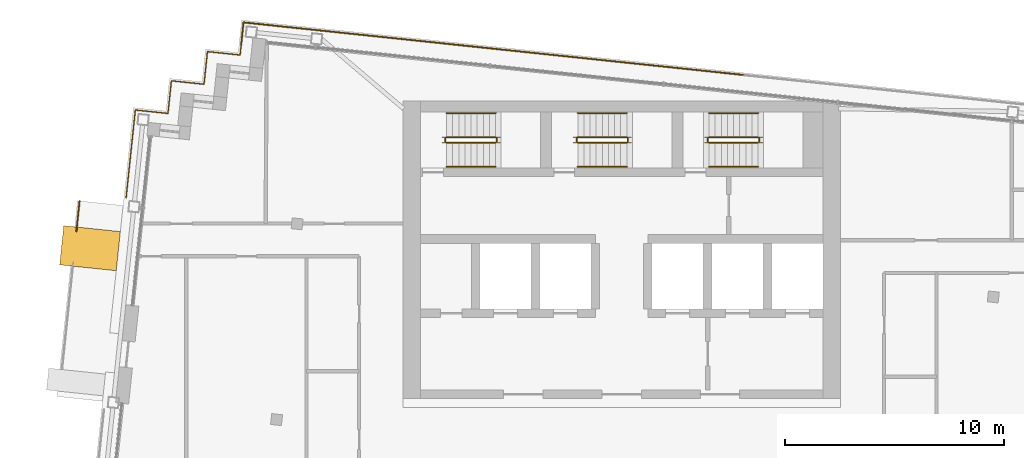
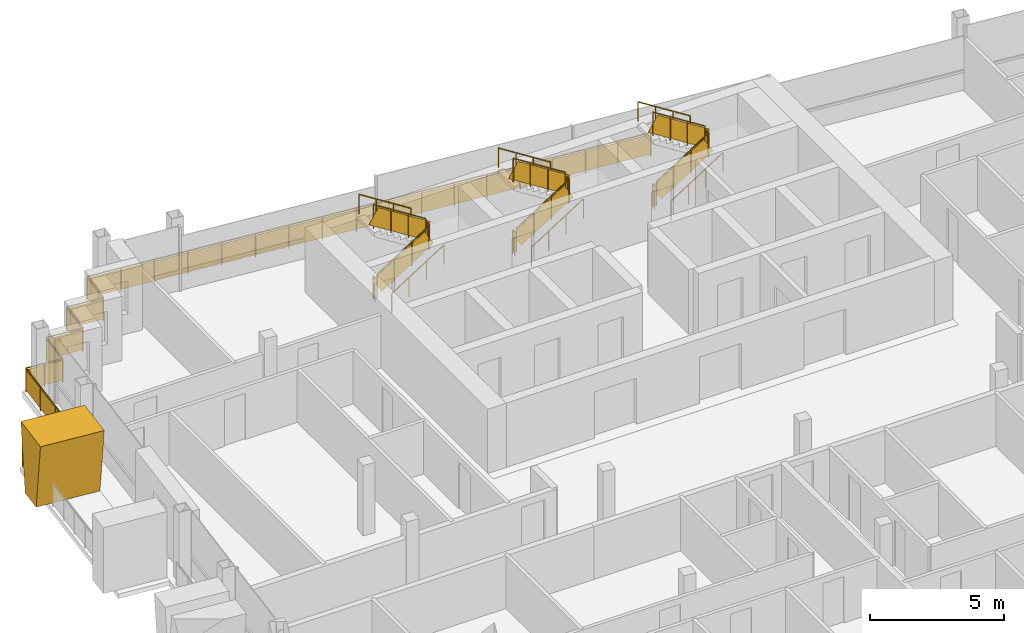
# One storey, part 16 of 17: 22 railings, 1 shading device.
"""IFC4 building model written with IfcOpenShell, lengths in metres."""

from ifc_helpers import new_model, si_unit, direction, frame, origin, origin_2d, place, context, subcontext, project, spatial, polyline, rectangle, circle, outline, extrude, material, layer, layer_set, type_object, element, save


model = new_model("IFC4")

# Units and contexts
model_context = context("Model", 3, precision=1e-05, world=origin(), true_north=direction((0.0, 1.0)))
body_context = subcontext(model_context, "Body", "Model", "MODEL_VIEW")
ifc_project = project(units=[si_unit("LENGTHUNIT", "METRE"), si_unit("AREAUNIT", "SQUARE_METRE"), si_unit("VOLUMEUNIT", "CUBIC_METRE"), si_unit("PLANEANGLEUNIT", "RADIAN"), si_unit("MASSUNIT", "GRAM", prefix="KILO")], contexts=[model_context])

# Site, building, storey
site_placement = place(None, origin())
site = spatial("IfcSite", under=ifc_project, at=site_placement, CompositionType="ELEMENT")
building_placement = place(site_placement, origin())
building = spatial("IfcBuilding", under=site, at=building_placement, Name="Vidyagriha Tower", CompositionType="ELEMENT")
storey_placement = place(building_placement, frame((0.0, 0.0, 265.89990234375)))
storey = spatial("IfcBuildingStorey", under=building, at=storey_placement, Name="L69", CompositionType="ELEMENT", Elevation=265.89990234375)

# Railing
ifc_material_1 = material(Name="Steel ASTM A500 Grade C black painted", Category="steel")
railing_type_1 = type_object("IfcRailingType", Name="Balcony guard 1100", PredefinedType="BALUSTRADE", material=ifc_material_1)
railing_1_placement = place(storey_placement, frame((-24.7763671875, 15.435302734375, 0.0)))
element("IfcRailing", 1, at=railing_1_placement, inside=storey, type_object=railing_type_1, Name="Balcony guard L69 R14.1-1", PredefinedType="BALUSTRADE", context=body_context, shape_type="SweptSolid", body=[
    extrude(circle(Radius=0.02490234375, at=origin_2d()), frame((0.0, 0.0, 1.0751953125), z_axis=(-0.104521012602, -0.994522678437, 0.0), x_axis=(0.994522678437, -0.104521012602, 0.0)), (0.0, 0.0, 1.0), 1.396728515625),
    extrude(circle(Radius=0.02001953125, at=origin_2d()), origin(), (0.0, 0.0, 1.0), 1.050048828125),
    extrude(circle(Radius=0.02001953125, at=origin_2d()), frame((-0.072998046875, -0.694580078125, 0.0)), (0.0, 0.0, 1.0), 1.050048828125),
    extrude(circle(Radius=0.02001953125, at=origin_2d()), frame((-0.14599609375, -1.38916015625, 0.0)), (0.0, 0.0, 1.0), 1.050048828125),
    extrude(rectangle(XDim=0.010009765625, YDim=0.900146484375, at=origin_2d()), frame((0.0, 0.0, 0.550048828125), z_axis=(-0.104521012602, -0.994522678437, 0.0), x_axis=(0.994522678437, -0.104521012602, 0.0)), (0.0, 0.0, 1.0), 1.396728515625),
])

# Shading device
ifc_material_2 = material(Name="Precast concrete C40/50 with buff brick facing", Category="concrete")
ifc_layer = layer(ifc_material_2, 1.0)
ifc_layer_set = layer_set([ifc_layer], Name="Precast concrete C40/50 with buff brick facing")
shading_device_type = type_object("IfcShadingDeviceType", Name="Brick-faced blade fin forking 8 degrees", PredefinedType="USERDEFINED", material=ifc_layer_set)
shading_device_placement = place(storey_placement, frame((-24.205810546875, 14.168701171875, 0.0), z_axis=(0.0, 0.0, 1.0), x_axis=(-0.104430625086, -0.99453217371, 0.0)))
element("IfcShadingDevice", 2, at=shading_device_placement, inside=storey, type_object=shading_device_type, Name="Forked blade fin L69 R14.330a", ObjectType="BLADE FIN", PredefinedType="USERDEFINED", context=body_context, shape_type="SweptSolid", body=[
    extrude(outline(polyline([(0.39990234375, 0.0), (1.39990234375, 0.0), (1.800048828125, 3.0), (0.0, 3.0), (0.39990234375, 0.0)])), frame((0.0, 1.300048828125, 0.0), z_axis=(0.0, -1.0, 0.0), x_axis=(1.0, 0.0, 0.0)), (0.0, 0.0, 1.0), 2.60009765625),
])

# Railings
ifc_material_3 = material(Name="Steel ASTM A500 Grade C black painted", Category="steel")
railing_type_2 = type_object("IfcRailingType", Name="Gallery guard 1100", PredefinedType="GUARDRAIL", material=ifc_material_3)
railing_2_placement = place(storey_placement, frame((-22.650390625, 15.57373046875, 0.0)))
element("IfcRailing", 3, at=railing_2_placement, inside=storey, type_object=railing_type_2, Name="Gallery guard L69 4", PredefinedType="GUARDRAIL", context=body_context, shape_type="SweptSolid", body=[
    extrude(circle(Radius=0.02490234375, at=origin_2d()), frame((0.0, 0.0, 1.0751953125), z_axis=(0.104546370699, 0.994520013058, 0.0), x_axis=(-0.994520013058, 0.104546370699, 0.0)), (0.0, 0.0, 1.0), 4.0400390625),
    extrude(circle(Radius=0.02490234375, at=origin_2d()), frame((0.42236328125, 4.017822265625, 1.0751953125), z_axis=(0.994526834051, -0.104481464157, 0.0), x_axis=(0.104481464157, 0.994526834051, 0.0)), (0.0, 0.0, 1.0), 1.500244140625),
    extrude(circle(Radius=0.02490234375, at=origin_2d()), frame((1.914306640625, 3.861083984375, 1.0751953125), z_axis=(0.104498377516, 0.994525057048, 0.0), x_axis=(-0.994525057048, 0.104498377516, 0.0)), (0.0, 0.0, 1.0), 1.5),
    extrude(circle(Radius=0.02490234375, at=origin_2d()), frame((2.071044921875, 5.352783203125, 1.0751953125), z_axis=(0.994525057048, -0.104498377516, 0.0), x_axis=(0.104498377516, 0.994525057048, 0.0)), (0.0, 0.0, 1.0), 1.5),
    extrude(circle(Radius=0.02490234375, at=origin_2d()), frame((3.562744140625, 5.196044921875, 1.0751953125), z_axis=(0.104498377516, 0.994525057048, 0.0), x_axis=(-0.994525057048, 0.104498377516, 0.0)), (0.0, 0.0, 1.0), 1.5),
    extrude(circle(Radius=0.02490234375, at=origin_2d()), frame((3.719482421875, 6.687744140625, 1.0751953125), z_axis=(0.994525057048, -0.104498377516, 0.0), x_axis=(0.104498377516, 0.994525057048, 0.0)), (0.0, 0.0, 1.0), 1.5),
    extrude(circle(Radius=0.02490234375, at=origin_2d()), frame((5.211181640625, 6.531005859375, 1.0751953125), z_axis=(0.10449150849, 0.994525778778, 0.0), x_axis=(-0.994525778778, 0.10449150849, 0.0)), (0.0, 0.0, 1.0), 0.460205078125),
    extrude(circle(Radius=0.02001953125, at=origin_2d()), origin(), (0.0, 0.0, 1.0), 1.050048828125),
    extrude(circle(Radius=0.02001953125, at=origin_2d()), frame((0.140869140625, 1.33935546875, 0.0)), (0.0, 0.0, 1.0), 1.050048828125),
    extrude(circle(Radius=0.02001953125, at=origin_2d()), frame((0.281494140625, 2.678466796875, 0.0)), (0.0, 0.0, 1.0), 1.050048828125),
    extrude(circle(Radius=0.02001953125, at=origin_2d()), frame((0.42236328125, 4.017822265625, 0.0)), (0.0, 0.0, 1.0), 1.050048828125),
    extrude(circle(Radius=0.02001953125, at=origin_2d()), frame((1.16845703125, 3.939453125, 0.0)), (0.0, 0.0, 1.0), 1.050048828125),
    extrude(circle(Radius=0.02001953125, at=origin_2d()), frame((1.914306640625, 3.861083984375, 0.0)), (0.0, 0.0, 1.0), 1.050048828125),
    extrude(circle(Radius=0.02001953125, at=origin_2d()), frame((2.071044921875, 5.352783203125, 0.0)), (0.0, 0.0, 1.0), 1.050048828125),
    extrude(circle(Radius=0.02001953125, at=origin_2d()), frame((3.562744140625, 5.196044921875, 0.0)), (0.0, 0.0, 1.0), 1.050048828125),
    extrude(circle(Radius=0.02001953125, at=origin_2d()), frame((3.719482421875, 6.687744140625, 0.0)), (0.0, 0.0, 1.0), 1.050048828125),
    extrude(circle(Radius=0.02001953125, at=origin_2d()), frame((5.211181640625, 6.531005859375, 0.0)), (0.0, 0.0, 1.0), 1.050048828125),
    extrude(circle(Radius=0.02001953125, at=origin_2d()), frame((5.25927734375, 6.98876953125, 0.0)), (0.0, 0.0, 1.0), 1.050048828125),
    extrude(rectangle(XDim=0.010009765625, YDim=0.900146484375, at=origin_2d()), frame((0.0, 0.0, 0.550048828125), z_axis=(0.104546370699, 0.994520013058, 0.0), x_axis=(-0.994520013058, 0.104546370699, 0.0)), (0.0, 0.0, 1.0), 4.0400390625),
    extrude(rectangle(XDim=0.010009765625, YDim=0.900146484375, at=origin_2d()), frame((0.42236328125, 4.017822265625, 0.550048828125), z_axis=(0.994526834051, -0.104481464157, 0.0), x_axis=(0.104481464157, 0.994526834051, 0.0)), (0.0, 0.0, 1.0), 1.500244140625),
    extrude(rectangle(XDim=0.010009765625, YDim=0.900146484375, at=origin_2d()), frame((1.914306640625, 3.861083984375, 0.550048828125), z_axis=(0.104498377516, 0.994525057048, 0.0), x_axis=(-0.994525057048, 0.104498377516, 0.0)), (0.0, 0.0, 1.0), 1.5),
    extrude(rectangle(XDim=0.010009765625, YDim=0.900146484375, at=origin_2d()), frame((2.071044921875, 5.352783203125, 0.550048828125), z_axis=(0.994525057048, -0.104498377516, 0.0), x_axis=(0.104498377516, 0.994525057048, 0.0)), (0.0, 0.0, 1.0), 1.5),
    extrude(rectangle(XDim=0.010009765625, YDim=0.900146484375, at=origin_2d()), frame((3.562744140625, 5.196044921875, 0.550048828125), z_axis=(0.104498377516, 0.994525057048, 0.0), x_axis=(-0.994525057048, 0.104498377516, 0.0)), (0.0, 0.0, 1.0), 1.5),
    extrude(rectangle(XDim=0.010009765625, YDim=0.900146484375, at=origin_2d()), frame((3.719482421875, 6.687744140625, 0.550048828125), z_axis=(0.994525057048, -0.104498377516, 0.0), x_axis=(0.104498377516, 0.994525057048, 0.0)), (0.0, 0.0, 1.0), 1.5),
    extrude(rectangle(XDim=0.010009765625, YDim=0.900146484375, at=origin_2d()), frame((5.211181640625, 6.531005859375, 0.550048828125), z_axis=(0.10449150849, 0.994525778778, 0.0), x_axis=(-0.994525778778, 0.10449150849, 0.0)), (0.0, 0.0, 1.0), 0.460205078125),
])
railing_3_placement = place(storey_placement, frame((-17.39111328125, 22.5625, 0.0)))
element("IfcRailing", 4, at=railing_3_placement, inside=storey, type_object=railing_type_2, Name="Gallery guard L69 5", PredefinedType="GUARDRAIL", context=body_context, shape_type="SweptSolid", body=[
    extrude(circle(Radius=0.02490234375, at=origin_2d()), frame((0.0, 0.0, 1.0751953125), z_axis=(0.104733680268, 0.994500304785, 0.0), x_axis=(-0.994500304785, 0.104733680268, 0.0)), (0.0, 0.0, 1.0), 1.03955078125),
    extrude(circle(Radius=0.02490234375, at=origin_2d()), frame((0.10888671875, 1.033935546875, 1.0751953125), z_axis=(0.994520943118, -0.104537522925, 0.0), x_axis=(0.104537522925, 0.994520943118, 0.0)), (0.0, 0.0, 1.0), 10.960205078125),
    extrude(circle(Radius=0.02001953125, at=origin_2d()), origin(), (0.0, 0.0, 1.0), 1.050048828125),
    extrude(circle(Radius=0.02001953125, at=origin_2d()), frame((0.10888671875, 1.033935546875, 0.0)), (0.0, 0.0, 1.0), 1.050048828125),
    extrude(circle(Radius=0.02001953125, at=origin_2d()), frame((1.471435546875, 0.890625, 0.0)), (0.0, 0.0, 1.0), 1.050048828125),
    extrude(circle(Radius=0.02001953125, at=origin_2d()), frame((2.833984375, 0.74755859375, 0.0)), (0.0, 0.0, 1.0), 1.050048828125),
    extrude(circle(Radius=0.02001953125, at=origin_2d()), frame((4.196533203125, 0.604248046875, 0.0)), (0.0, 0.0, 1.0), 1.050048828125),
    extrude(circle(Radius=0.02001953125, at=origin_2d()), frame((5.55908203125, 0.4609375, 0.0)), (0.0, 0.0, 1.0), 1.050048828125),
    extrude(circle(Radius=0.02001953125, at=origin_2d()), frame((6.92138671875, 0.31787109375, 0.0)), (0.0, 0.0, 1.0), 1.050048828125),
    extrude(circle(Radius=0.02001953125, at=origin_2d()), frame((8.283935546875, 0.174560546875, 0.0)), (0.0, 0.0, 1.0), 1.050048828125),
    extrude(circle(Radius=0.02001953125, at=origin_2d()), frame((9.646484375, 0.031494140625, 0.0)), (0.0, 0.0, 1.0), 1.050048828125),
    extrude(circle(Radius=0.02001953125, at=origin_2d()), frame((11.009033203125, -0.11181640625, 0.0)), (0.0, 0.0, 1.0), 1.050048828125),
    extrude(rectangle(XDim=0.010009765625, YDim=0.900146484375, at=origin_2d()), frame((0.0, 0.0, 0.550048828125), z_axis=(0.104733680268, 0.994500304785, 0.0), x_axis=(-0.994500304785, 0.104733680268, 0.0)), (0.0, 0.0, 1.0), 1.03955078125),
    extrude(rectangle(XDim=0.010009765625, YDim=0.900146484375, at=origin_2d()), frame((0.10888671875, 1.033935546875, 0.550048828125), z_axis=(0.994520943118, -0.104537522925, 0.0), x_axis=(0.104537522925, 0.994520943118, 0.0)), (0.0, 0.0, 1.0), 10.960205078125),
])
railing_4_placement = place(storey_placement, frame((-6.382080078125, 22.45068359375, 0.0)))
element("IfcRailing", 5, at=railing_4_placement, inside=storey, type_object=railing_type_2, Name="Gallery guard L69 6", PredefinedType="GUARDRAIL", context=body_context, shape_type="SweptSolid", body=[
    extrude(circle(Radius=0.02490234375, at=origin_2d()), frame((0.0, 0.0, 1.0751953125), z_axis=(0.994523609071, -0.104512157188, 0.0), x_axis=(0.104512157188, 0.994523609071, 0.0)), (0.0, 0.0, 1.0), 12.0),
    extrude(circle(Radius=0.02001953125, at=origin_2d()), origin(), (0.0, 0.0, 1.0), 1.050048828125),
    extrude(circle(Radius=0.02001953125, at=origin_2d()), frame((1.325927734375, -0.139404296875, 0.0)), (0.0, 0.0, 1.0), 1.050048828125),
    extrude(circle(Radius=0.02001953125, at=origin_2d()), frame((2.652099609375, -0.27880859375, 0.0)), (0.0, 0.0, 1.0), 1.050048828125),
    extrude(circle(Radius=0.02001953125, at=origin_2d()), frame((3.97802734375, -0.41796875, 0.0)), (0.0, 0.0, 1.0), 1.050048828125),
    extrude(circle(Radius=0.02001953125, at=origin_2d()), frame((5.30419921875, -0.557373046875, 0.0)), (0.0, 0.0, 1.0), 1.050048828125),
    extrude(circle(Radius=0.02001953125, at=origin_2d()), frame((6.630126953125, -0.69677734375, 0.0)), (0.0, 0.0, 1.0), 1.050048828125),
    extrude(circle(Radius=0.02001953125, at=origin_2d()), frame((7.956298828125, -0.836181640625, 0.0)), (0.0, 0.0, 1.0), 1.050048828125),
    extrude(circle(Radius=0.02001953125, at=origin_2d()), frame((9.2822265625, -0.975341796875, 0.0)), (0.0, 0.0, 1.0), 1.050048828125),
    extrude(circle(Radius=0.02001953125, at=origin_2d()), frame((10.6083984375, -1.11474609375, 0.0)), (0.0, 0.0, 1.0), 1.050048828125),
    extrude(circle(Radius=0.02001953125, at=origin_2d()), frame((11.934326171875, -1.254150390625, 0.0)), (0.0, 0.0, 1.0), 1.050048828125),
    extrude(rectangle(XDim=0.010009765625, YDim=0.900146484375, at=origin_2d()), frame((0.0, 0.0, 0.550048828125), z_axis=(0.994523609071, -0.104512157188, 0.0), x_axis=(0.104512157188, 0.994523609071, 0.0)), (0.0, 0.0, 1.0), 12.0),
])
ifc_material_4 = material(Name="Steel ASTM A500 Grade C", Category="steel")
railing_type_3 = type_object("IfcRailingType", Name="Stair guard 1100 mm, steel balustrade", PredefinedType="GUARDRAIL", material=ifc_material_4)
railing_5_placement = place(storey_placement, frame((-8.0, 18.10009765625, 0.177978515625)))
element("IfcRailing", 6, at=railing_5_placement, inside=storey, type_object=railing_type_3, Name="L69 ST1 stair guard 1", PredefinedType="GUARDRAIL", context=body_context, shape_type="SweptSolid", body=[
    extrude(circle(Radius=0.02392578125, at=origin_2d()), frame((0.0, 0.0, 1.076171875), z_axis=(0.8442293374, 0.0, 0.53598211339), x_axis=(0.0, 1.0, 0.0)), (0.0, 0.0, 1.0), 2.6533203125),
    extrude(circle(Radius=0.02099609375, at=origin_2d()), origin(), (0.0, 0.0, 1.0), 1.052001953125),
    extrude(circle(Radius=0.02099609375, at=origin_2d()), frame((0.74658203125, 0.0, 0.47412109375)), (0.0, 0.0, 1.0), 1.052001953125),
    extrude(circle(Radius=0.02099609375, at=origin_2d()), frame((1.493408203125, 0.0, 0.947998046875)), (0.0, 0.0, 1.0), 1.052001953125),
    extrude(circle(Radius=0.02099609375, at=origin_2d()), frame((2.239990234375, 0.0, 1.422119140625)), (0.0, 0.0, 1.0), 1.052001953125),
    extrude(rectangle(XDim=0.010009765625, YDim=0.761474609375, at=origin_2d()), frame((0.0, 0.0, 0.551025390625), z_axis=(0.8442293374, 0.0, 0.53598211339), x_axis=(0.0, 1.0, 0.0)), (0.0, 0.0, 1.0), 2.6533203125),
])
railing_6_placement = place(storey_placement, frame((-5.7099609375, 18.14990234375, 1.60009765625)))
element("IfcRailing", 7, at=railing_6_placement, inside=storey, type_object=railing_type_3, Name="L69 ST1 stair guard 2", PredefinedType="GUARDRAIL", context=body_context, shape_type="SweptSolid", body=[
    extrude(circle(Radius=0.02392578125, at=origin_2d()), frame((0.0, 0.0, 1.076171875), z_axis=(0.0, 1.0, 0.0), x_axis=(-1.0, 0.0, 0.0)), (0.0, 0.0, 1.0), 0.150146484375),
    extrude(circle(Radius=0.02099609375, at=origin_2d()), origin(), (0.0, 0.0, 1.0), 1.052001953125),
    extrude(circle(Radius=0.02099609375, at=origin_2d()), frame((0.0, 0.150146484375, 0.0)), (0.0, 0.0, 1.0), 1.052001953125),
    extrude(rectangle(XDim=0.010009765625, YDim=0.902099609375, at=origin_2d()), frame((0.0, 0.0, 0.551025390625), z_axis=(0.0, 1.0, 0.0), x_axis=(-1.0, 0.0, 0.0)), (0.0, 0.0, 1.0), 0.150146484375),
])
railing_7_placement = place(storey_placement, frame((-5.760009765625, 18.35009765625, 1.77783203125)))
element("IfcRailing", 8, at=railing_7_placement, inside=storey, type_object=railing_type_3, Name="L69 ST1 stair guard 3", PredefinedType="GUARDRAIL", context=body_context, shape_type="SweptSolid", body=[
    extrude(circle(Radius=0.02392578125, at=origin_2d()), frame((0.0, 0.0, 1.076171875), z_axis=(-0.84418770128, 0.0, 0.536047689118), x_axis=(0.0, -1.0, 0.0)), (0.0, 0.0, 1.0), 2.6533203125),
    extrude(circle(Radius=0.02099609375, at=origin_2d()), origin(), (0.0, 0.0, 1.0), 1.052001953125),
    extrude(circle(Radius=0.02099609375, at=origin_2d()), frame((-0.74658203125, 0.0, 0.47412109375)), (0.0, 0.0, 1.0), 1.052001953125),
    extrude(circle(Radius=0.02099609375, at=origin_2d()), frame((-1.493408203125, 0.0, 0.9482421875)), (0.0, 0.0, 1.0), 1.052001953125),
    extrude(circle(Radius=0.02099609375, at=origin_2d()), frame((-2.239990234375, 0.0, 1.42236328125)), (0.0, 0.0, 1.0), 1.052001953125),
    extrude(rectangle(XDim=0.010009765625, YDim=0.761474609375, at=origin_2d()), frame((0.0, 0.0, 0.551025390625), z_axis=(-0.84418770128, 0.0, 0.536047689118), x_axis=(0.0, -1.0, 0.0)), (0.0, 0.0, 1.0), 2.6533203125),
])
railing_8_placement = place(storey_placement, frame((-8.050048828125, 18.14990234375, 0.0)))
element("IfcRailing", 9, at=railing_8_placement, inside=storey, type_object=railing_type_3, Name="L69 ST1 stair guard 4", PredefinedType="GUARDRAIL", context=body_context, shape_type="SweptSolid", body=[
    extrude(circle(Radius=0.02392578125, at=origin_2d()), frame((0.0, 0.0, 1.076171875), z_axis=(0.0, 1.0, 0.0), x_axis=(-1.0, 0.0, 0.0)), (0.0, 0.0, 1.0), 0.150146484375),
    extrude(circle(Radius=0.02099609375, at=origin_2d()), origin(), (0.0, 0.0, 1.0), 1.052001953125),
    extrude(circle(Radius=0.02099609375, at=origin_2d()), frame((0.0, 0.150146484375, 0.0)), (0.0, 0.0, 1.0), 1.052001953125),
    extrude(rectangle(XDim=0.010009765625, YDim=0.902099609375, at=origin_2d()), frame((0.0, 0.0, 0.551025390625), z_axis=(0.0, 1.0, 0.0), x_axis=(-1.0, 0.0, 0.0)), (0.0, 0.0, 1.0), 0.150146484375),
])
railing_9_placement = place(storey_placement, frame((-2.0, 18.10009765625, 0.177978515625)))
element("IfcRailing", 10, at=railing_9_placement, inside=storey, type_object=railing_type_3, Name="L69 ST2 stair guard 1", PredefinedType="GUARDRAIL", context=body_context, shape_type="SweptSolid", body=[
    extrude(circle(Radius=0.02392578125, at=origin_2d()), frame((0.0, 0.0, 1.076171875), z_axis=(0.8442293374, 0.0, 0.53598211339), x_axis=(0.0, 1.0, 0.0)), (0.0, 0.0, 1.0), 2.6533203125),
    extrude(circle(Radius=0.02099609375, at=origin_2d()), origin(), (0.0, 0.0, 1.0), 1.052001953125),
    extrude(circle(Radius=0.02099609375, at=origin_2d()), frame((0.74658203125, 0.0, 0.47412109375)), (0.0, 0.0, 1.0), 1.052001953125),
    extrude(circle(Radius=0.02099609375, at=origin_2d()), frame((1.493408203125, 0.0, 0.947998046875)), (0.0, 0.0, 1.0), 1.052001953125),
    extrude(circle(Radius=0.02099609375, at=origin_2d()), frame((2.239990234375, 0.0, 1.422119140625)), (0.0, 0.0, 1.0), 1.052001953125),
    extrude(rectangle(XDim=0.010009765625, YDim=0.761474609375, at=origin_2d()), frame((0.0, 0.0, 0.551025390625), z_axis=(0.8442293374, 0.0, 0.53598211339), x_axis=(0.0, 1.0, 0.0)), (0.0, 0.0, 1.0), 2.6533203125),
])
railing_10_placement = place(storey_placement, frame((0.2900390625, 18.14990234375, 1.60009765625)))
element("IfcRailing", 11, at=railing_10_placement, inside=storey, type_object=railing_type_3, Name="L69 ST2 stair guard 2", PredefinedType="GUARDRAIL", context=body_context, shape_type="SweptSolid", body=[
    extrude(circle(Radius=0.02392578125, at=origin_2d()), frame((0.0, 0.0, 1.076171875), z_axis=(0.0, 1.0, 0.0), x_axis=(-1.0, 0.0, 0.0)), (0.0, 0.0, 1.0), 0.150146484375),
    extrude(circle(Radius=0.02099609375, at=origin_2d()), origin(), (0.0, 0.0, 1.0), 1.052001953125),
    extrude(circle(Radius=0.02099609375, at=origin_2d()), frame((0.0, 0.150146484375, 0.0)), (0.0, 0.0, 1.0), 1.052001953125),
    extrude(rectangle(XDim=0.010009765625, YDim=0.902099609375, at=origin_2d()), frame((0.0, 0.0, 0.551025390625), z_axis=(0.0, 1.0, 0.0), x_axis=(-1.0, 0.0, 0.0)), (0.0, 0.0, 1.0), 0.150146484375),
])
railing_11_placement = place(storey_placement, frame((0.239990234375, 18.35009765625, 1.77783203125)))
element("IfcRailing", 12, at=railing_11_placement, inside=storey, type_object=railing_type_3, Name="L69 ST2 stair guard 3", PredefinedType="GUARDRAIL", context=body_context, shape_type="SweptSolid", body=[
    extrude(circle(Radius=0.02392578125, at=origin_2d()), frame((0.0, 0.0, 1.076171875), z_axis=(-0.84418770128, 0.0, 0.536047689118), x_axis=(0.0, -1.0, 0.0)), (0.0, 0.0, 1.0), 2.6533203125),
    extrude(circle(Radius=0.02099609375, at=origin_2d()), origin(), (0.0, 0.0, 1.0), 1.052001953125),
    extrude(circle(Radius=0.02099609375, at=origin_2d()), frame((-0.74658203125, 0.0, 0.47412109375)), (0.0, 0.0, 1.0), 1.052001953125),
    extrude(circle(Radius=0.02099609375, at=origin_2d()), frame((-1.493408203125, 0.0, 0.9482421875)), (0.0, 0.0, 1.0), 1.052001953125),
    extrude(circle(Radius=0.02099609375, at=origin_2d()), frame((-2.239990234375, 0.0, 1.42236328125)), (0.0, 0.0, 1.0), 1.052001953125),
    extrude(rectangle(XDim=0.010009765625, YDim=0.761474609375, at=origin_2d()), frame((0.0, 0.0, 0.551025390625), z_axis=(-0.84418770128, 0.0, 0.536047689118), x_axis=(0.0, -1.0, 0.0)), (0.0, 0.0, 1.0), 2.6533203125),
])
railing_12_placement = place(storey_placement, frame((-2.050048828125, 18.14990234375, 0.0)))
element("IfcRailing", 13, at=railing_12_placement, inside=storey, type_object=railing_type_3, Name="L69 ST2 stair guard 4", PredefinedType="GUARDRAIL", context=body_context, shape_type="SweptSolid", body=[
    extrude(circle(Radius=0.02392578125, at=origin_2d()), frame((0.0, 0.0, 1.076171875), z_axis=(0.0, 1.0, 0.0), x_axis=(-1.0, 0.0, 0.0)), (0.0, 0.0, 1.0), 0.150146484375),
    extrude(circle(Radius=0.02099609375, at=origin_2d()), origin(), (0.0, 0.0, 1.0), 1.052001953125),
    extrude(circle(Radius=0.02099609375, at=origin_2d()), frame((0.0, 0.150146484375, 0.0)), (0.0, 0.0, 1.0), 1.052001953125),
    extrude(rectangle(XDim=0.010009765625, YDim=0.902099609375, at=origin_2d()), frame((0.0, 0.0, 0.551025390625), z_axis=(0.0, 1.0, 0.0), x_axis=(-1.0, 0.0, 0.0)), (0.0, 0.0, 1.0), 0.150146484375),
])
railing_13_placement = place(storey_placement, frame((4.0, 18.10009765625, 0.177978515625)))
element("IfcRailing", 14, at=railing_13_placement, inside=storey, type_object=railing_type_3, Name="L69 ST3 stair guard 1", PredefinedType="GUARDRAIL", context=body_context, shape_type="SweptSolid", body=[
    extrude(circle(Radius=0.02392578125, at=origin_2d()), frame((0.0, 0.0, 1.076171875), z_axis=(0.8442293374, 0.0, 0.53598211339), x_axis=(0.0, 1.0, 0.0)), (0.0, 0.0, 1.0), 2.6533203125),
    extrude(circle(Radius=0.02099609375, at=origin_2d()), origin(), (0.0, 0.0, 1.0), 1.052001953125),
    extrude(circle(Radius=0.02099609375, at=origin_2d()), frame((0.74658203125, 0.0, 0.47412109375)), (0.0, 0.0, 1.0), 1.052001953125),
    extrude(circle(Radius=0.02099609375, at=origin_2d()), frame((1.493408203125, 0.0, 0.947998046875)), (0.0, 0.0, 1.0), 1.052001953125),
    extrude(circle(Radius=0.02099609375, at=origin_2d()), frame((2.239990234375, 0.0, 1.422119140625)), (0.0, 0.0, 1.0), 1.052001953125),
    extrude(rectangle(XDim=0.010009765625, YDim=0.761474609375, at=origin_2d()), frame((0.0, 0.0, 0.551025390625), z_axis=(0.8442293374, 0.0, 0.53598211339), x_axis=(0.0, 1.0, 0.0)), (0.0, 0.0, 1.0), 2.6533203125),
])
railing_14_placement = place(storey_placement, frame((6.2900390625, 18.14990234375, 1.60009765625)))
element("IfcRailing", 15, at=railing_14_placement, inside=storey, type_object=railing_type_3, Name="L69 ST3 stair guard 2", PredefinedType="GUARDRAIL", context=body_context, shape_type="SweptSolid", body=[
    extrude(circle(Radius=0.02392578125, at=origin_2d()), frame((0.0, 0.0, 1.076171875), z_axis=(0.0, 1.0, 0.0), x_axis=(-1.0, 0.0, 0.0)), (0.0, 0.0, 1.0), 0.150146484375),
    extrude(circle(Radius=0.02099609375, at=origin_2d()), origin(), (0.0, 0.0, 1.0), 1.052001953125),
    extrude(circle(Radius=0.02099609375, at=origin_2d()), frame((0.0, 0.150146484375, 0.0)), (0.0, 0.0, 1.0), 1.052001953125),
    extrude(rectangle(XDim=0.010009765625, YDim=0.902099609375, at=origin_2d()), frame((0.0, 0.0, 0.551025390625), z_axis=(0.0, 1.0, 0.0), x_axis=(-1.0, 0.0, 0.0)), (0.0, 0.0, 1.0), 0.150146484375),
])
railing_15_placement = place(storey_placement, frame((6.239990234375, 18.35009765625, 1.77783203125)))
element("IfcRailing", 16, at=railing_15_placement, inside=storey, type_object=railing_type_3, Name="L69 ST3 stair guard 3", PredefinedType="GUARDRAIL", context=body_context, shape_type="SweptSolid", body=[
    extrude(circle(Radius=0.02392578125, at=origin_2d()), frame((0.0, 0.0, 1.076171875), z_axis=(-0.84418770128, 0.0, 0.536047689118), x_axis=(0.0, -1.0, 0.0)), (0.0, 0.0, 1.0), 2.6533203125),
    extrude(circle(Radius=0.02099609375, at=origin_2d()), origin(), (0.0, 0.0, 1.0), 1.052001953125),
    extrude(circle(Radius=0.02099609375, at=origin_2d()), frame((-0.74658203125, 0.0, 0.47412109375)), (0.0, 0.0, 1.0), 1.052001953125),
    extrude(circle(Radius=0.02099609375, at=origin_2d()), frame((-1.493408203125, 0.0, 0.9482421875)), (0.0, 0.0, 1.0), 1.052001953125),
    extrude(circle(Radius=0.02099609375, at=origin_2d()), frame((-2.239990234375, 0.0, 1.42236328125)), (0.0, 0.0, 1.0), 1.052001953125),
    extrude(rectangle(XDim=0.010009765625, YDim=0.761474609375, at=origin_2d()), frame((0.0, 0.0, 0.551025390625), z_axis=(-0.84418770128, 0.0, 0.536047689118), x_axis=(0.0, -1.0, 0.0)), (0.0, 0.0, 1.0), 2.6533203125),
])
railing_16_placement = place(storey_placement, frame((3.949951171875, 18.14990234375, 0.0)))
element("IfcRailing", 17, at=railing_16_placement, inside=storey, type_object=railing_type_3, Name="L69 ST3 stair guard 4", PredefinedType="GUARDRAIL", context=body_context, shape_type="SweptSolid", body=[
    extrude(circle(Radius=0.02392578125, at=origin_2d()), frame((0.0, 0.0, 1.076171875), z_axis=(0.0, 1.0, 0.0), x_axis=(-1.0, 0.0, 0.0)), (0.0, 0.0, 1.0), 0.150146484375),
    extrude(circle(Radius=0.02099609375, at=origin_2d()), origin(), (0.0, 0.0, 1.0), 1.052001953125),
    extrude(circle(Radius=0.02099609375, at=origin_2d()), frame((0.0, 0.150146484375, 0.0)), (0.0, 0.0, 1.0), 1.052001953125),
    extrude(rectangle(XDim=0.010009765625, YDim=0.902099609375, at=origin_2d()), frame((0.0, 0.0, 0.551025390625), z_axis=(0.0, 1.0, 0.0), x_axis=(-1.0, 0.0, 0.0)), (0.0, 0.0, 1.0), 0.150146484375),
])
ifc_material_5 = material(Name="Steel ASTM A500 Grade C", Category="steel")
railing_type_4 = type_object("IfcRailingType", Name="Stair handrail 900 mm, steel", PredefinedType="HANDRAIL", material=ifc_material_5)
railing_17_placement = place(storey_placement, frame((-8.0, 17.0, 0.177978515625)))
element("IfcRailing", 18, at=railing_17_placement, inside=storey, type_object=railing_type_4, Name="L69 ST1 stair handrail 1", PredefinedType="HANDRAIL", context=body_context, shape_type="SweptSolid", body=[
    extrude(circle(Radius=0.02392578125, at=origin_2d()), frame((0.0, 0.0, 0.8759765625), z_axis=(0.8442293374, 0.0, 0.53598211339), x_axis=(0.0, 1.0, 0.0)), (0.0, 0.0, 1.0), 2.6533203125),
    extrude(circle(Radius=0.02099609375, at=origin_2d()), origin(), (0.0, 0.0, 1.0), 0.851806640625),
    extrude(circle(Radius=0.02099609375, at=origin_2d()), frame((0.74658203125, 0.0, 0.47412109375)), (0.0, 0.0, 1.0), 0.851806640625),
    extrude(circle(Radius=0.02099609375, at=origin_2d()), frame((1.493408203125, 0.0, 0.947998046875)), (0.0, 0.0, 1.0), 0.851806640625),
    extrude(circle(Radius=0.02099609375, at=origin_2d()), frame((2.239990234375, 0.0, 1.422119140625)), (0.0, 0.0, 1.0), 0.851806640625),
])
railing_18_placement = place(storey_placement, frame((-5.760009765625, 19.449951171875, 1.77783203125)))
element("IfcRailing", 19, at=railing_18_placement, inside=storey, type_object=railing_type_4, Name="L69 ST1 stair handrail 2", PredefinedType="HANDRAIL", context=body_context, shape_type="SweptSolid", body=[
    extrude(circle(Radius=0.02392578125, at=origin_2d()), frame((0.0, 0.0, 0.8759765625), z_axis=(-0.84418770128, 0.0, 0.536047689118), x_axis=(0.0, -1.0, 0.0)), (0.0, 0.0, 1.0), 2.6533203125),
    extrude(circle(Radius=0.02099609375, at=origin_2d()), origin(), (0.0, 0.0, 1.0), 0.851806640625),
    extrude(circle(Radius=0.02099609375, at=origin_2d()), frame((-0.74658203125, 0.0, 0.47412109375)), (0.0, 0.0, 1.0), 0.851806640625),
    extrude(circle(Radius=0.02099609375, at=origin_2d()), frame((-1.493408203125, 0.0, 0.9482421875)), (0.0, 0.0, 1.0), 0.851806640625),
    extrude(circle(Radius=0.02099609375, at=origin_2d()), frame((-2.239990234375, 0.0, 1.42236328125)), (0.0, 0.0, 1.0), 0.851806640625),
])
railing_19_placement = place(storey_placement, frame((-2.0, 17.0, 0.177978515625)))
element("IfcRailing", 20, at=railing_19_placement, inside=storey, type_object=railing_type_4, Name="L69 ST2 stair handrail 1", PredefinedType="HANDRAIL", context=body_context, shape_type="SweptSolid", body=[
    extrude(circle(Radius=0.02392578125, at=origin_2d()), frame((0.0, 0.0, 0.8759765625), z_axis=(0.8442293374, 0.0, 0.53598211339), x_axis=(0.0, 1.0, 0.0)), (0.0, 0.0, 1.0), 2.6533203125),
    extrude(circle(Radius=0.02099609375, at=origin_2d()), origin(), (0.0, 0.0, 1.0), 0.851806640625),
    extrude(circle(Radius=0.02099609375, at=origin_2d()), frame((0.74658203125, 0.0, 0.47412109375)), (0.0, 0.0, 1.0), 0.851806640625),
    extrude(circle(Radius=0.02099609375, at=origin_2d()), frame((1.493408203125, 0.0, 0.947998046875)), (0.0, 0.0, 1.0), 0.851806640625),
    extrude(circle(Radius=0.02099609375, at=origin_2d()), frame((2.239990234375, 0.0, 1.422119140625)), (0.0, 0.0, 1.0), 0.851806640625),
])
railing_20_placement = place(storey_placement, frame((0.239990234375, 19.449951171875, 1.77783203125)))
element("IfcRailing", 21, at=railing_20_placement, inside=storey, type_object=railing_type_4, Name="L69 ST2 stair handrail 2", PredefinedType="HANDRAIL", context=body_context, shape_type="SweptSolid", body=[
    extrude(circle(Radius=0.02392578125, at=origin_2d()), frame((0.0, 0.0, 0.8759765625), z_axis=(-0.84418770128, 0.0, 0.536047689118), x_axis=(0.0, -1.0, 0.0)), (0.0, 0.0, 1.0), 2.6533203125),
    extrude(circle(Radius=0.02099609375, at=origin_2d()), origin(), (0.0, 0.0, 1.0), 0.851806640625),
    extrude(circle(Radius=0.02099609375, at=origin_2d()), frame((-0.74658203125, 0.0, 0.47412109375)), (0.0, 0.0, 1.0), 0.851806640625),
    extrude(circle(Radius=0.02099609375, at=origin_2d()), frame((-1.493408203125, 0.0, 0.9482421875)), (0.0, 0.0, 1.0), 0.851806640625),
    extrude(circle(Radius=0.02099609375, at=origin_2d()), frame((-2.239990234375, 0.0, 1.42236328125)), (0.0, 0.0, 1.0), 0.851806640625),
])
railing_21_placement = place(storey_placement, frame((4.0, 17.0, 0.177978515625)))
element("IfcRailing", 22, at=railing_21_placement, inside=storey, type_object=railing_type_4, Name="L69 ST3 stair handrail 1", PredefinedType="HANDRAIL", context=body_context, shape_type="SweptSolid", body=[
    extrude(circle(Radius=0.02392578125, at=origin_2d()), frame((0.0, 0.0, 0.8759765625), z_axis=(0.8442293374, 0.0, 0.53598211339), x_axis=(0.0, 1.0, 0.0)), (0.0, 0.0, 1.0), 2.6533203125),
    extrude(circle(Radius=0.02099609375, at=origin_2d()), origin(), (0.0, 0.0, 1.0), 0.851806640625),
    extrude(circle(Radius=0.02099609375, at=origin_2d()), frame((0.74658203125, 0.0, 0.47412109375)), (0.0, 0.0, 1.0), 0.851806640625),
    extrude(circle(Radius=0.02099609375, at=origin_2d()), frame((1.493408203125, 0.0, 0.947998046875)), (0.0, 0.0, 1.0), 0.851806640625),
    extrude(circle(Radius=0.02099609375, at=origin_2d()), frame((2.239990234375, 0.0, 1.422119140625)), (0.0, 0.0, 1.0), 0.851806640625),
])
railing_22_placement = place(storey_placement, frame((6.239990234375, 19.449951171875, 1.77783203125)))
element("IfcRailing", 23, at=railing_22_placement, inside=storey, type_object=railing_type_4, Name="L69 ST3 stair handrail 2", PredefinedType="HANDRAIL", context=body_context, shape_type="SweptSolid", body=[
    extrude(circle(Radius=0.02392578125, at=origin_2d()), frame((0.0, 0.0, 0.8759765625), z_axis=(-0.84418770128, 0.0, 0.536047689118), x_axis=(0.0, -1.0, 0.0)), (0.0, 0.0, 1.0), 2.6533203125),
    extrude(circle(Radius=0.02099609375, at=origin_2d()), origin(), (0.0, 0.0, 1.0), 0.851806640625),
    extrude(circle(Radius=0.02099609375, at=origin_2d()), frame((-0.74658203125, 0.0, 0.47412109375)), (0.0, 0.0, 1.0), 0.851806640625),
    extrude(circle(Radius=0.02099609375, at=origin_2d()), frame((-1.493408203125, 0.0, 0.9482421875)), (0.0, 0.0, 1.0), 0.851806640625),
    extrude(circle(Radius=0.02099609375, at=origin_2d()), frame((-2.239990234375, 0.0, 1.42236328125)), (0.0, 0.0, 1.0), 0.851806640625),
])

save(model, "model.ifc")
